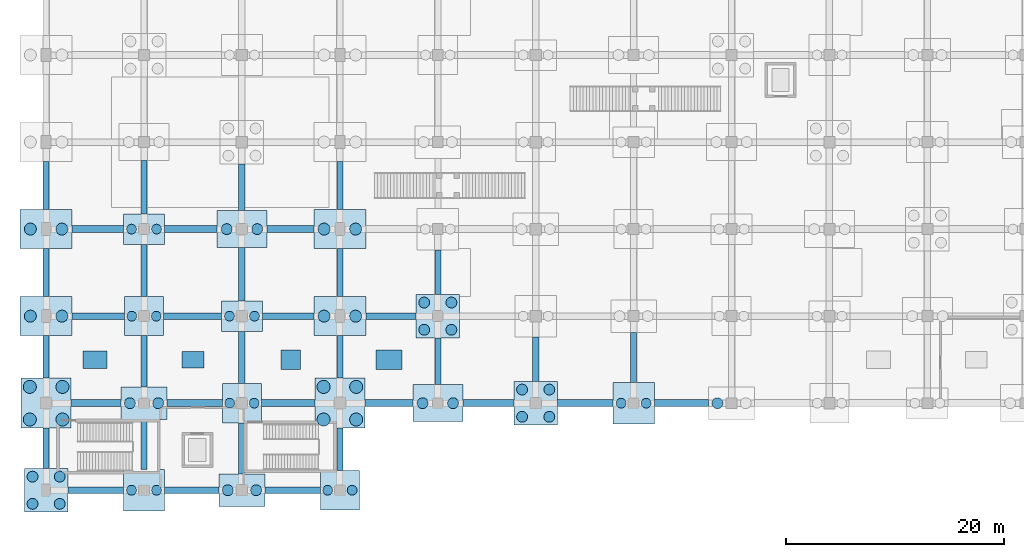
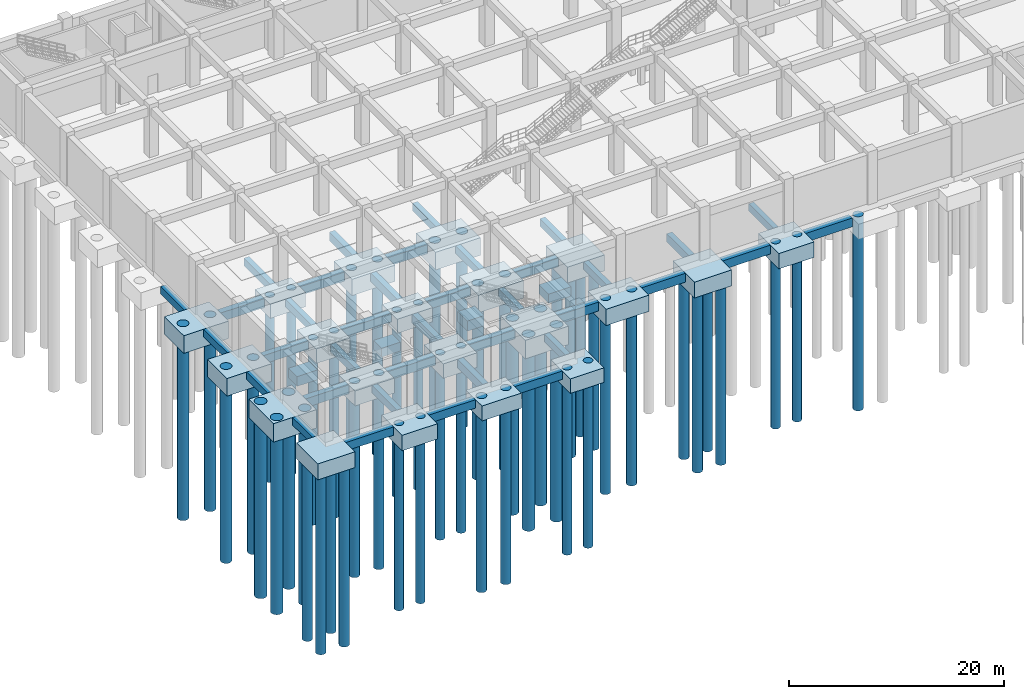
# One storey, part 1 of 18: 61 footings, 51 piles.
"""IFC4 building model written with IfcOpenShell, lengths in metres."""

from ifc_helpers import new_model, si_unit, derived_unit, direction, frame, origin, origin_2d, place, context, subcontext, project, spatial, rectangle, circle, extrude, material, material_profile, profile_set, type_object, element, save


model = new_model("IFC4")

# Units and contexts
model_context = context("Model", 3, precision=1e-05, world=origin(), true_north=direction((0.0, 1.0)))
body_context = subcontext(model_context, "Body", "Model", "MODEL_VIEW")
ifc_project = project(units=[si_unit("LENGTHUNIT", "METRE"), si_unit("AREAUNIT", "SQUARE_METRE"), si_unit("VOLUMEUNIT", "CUBIC_METRE"), si_unit("PLANEANGLEUNIT", "RADIAN"), si_unit("MASSUNIT", "GRAM", prefix="KILO"), derived_unit("THERMALTRANSMITTANCEUNIT", [(si_unit("MASSUNIT", "GRAM", prefix="KILO"), 1), (si_unit("TIMEUNIT", "SECOND"), -3), (si_unit("THERMODYNAMICTEMPERATUREUNIT", "KELVIN"), -1)])], contexts=[model_context])

# Site, building, storey
site_placement = place(None, origin())
site = spatial("IfcSite", under=ifc_project, at=site_placement, CompositionType="ELEMENT")
building_placement = place(site_placement, origin())
building = spatial("IfcBuilding", under=site, at=building_placement, Name="Zhenchuan Archway Interchange", CompositionType="ELEMENT")
storey_placement = place(building_placement, frame((0.0, 0.0, -12.0)))
storey = spatial("IfcBuildingStorey", under=building, at=storey_placement, Name="B2", CompositionType="ELEMENT", Elevation=-12.0)

# Footings
ifc_material_1 = material(Name="Concrete C40", Category="concrete")
ifc_material_profile_1 = material_profile(ifc_material_1, rectangle(XDim=0.64990234375, YDim=1.0, at=origin_2d()), Name="RC 650x1000")
ifc_profile_set_1 = profile_set([ifc_material_profile_1], Name="Concrete C40")
footing_type_1 = type_object("IfcFootingType", Name="FB_GROUND_1", PredefinedType="FOOTING_BEAM", material=ifc_profile_set_1)
footing_1_placement = place(storey_placement, frame((38.300048828125, 32.0, -1.5), z_axis=(1.0, 0.0, 0.0), x_axis=(0.0, 1.0, 0.0)))
element("IfcFooting", 1, at=footing_1_placement, inside=storey, type_object=footing_type_1, Name="Ground tie beam E:5-6 (B2)", PredefinedType="FOOTING_BEAM", context=body_context, shape_type="SweptSolid", body=[
    extrude(rectangle(XDim=0.64990234375, YDim=1.0, at=origin_2d()), origin(), (0.0, 0.0, 1.0), 4.599853515625),
])
footing_2_placement = place(storey_placement, frame((47.10009765625, 32.0, -1.5), z_axis=(1.0, 0.0, 0.0), x_axis=(0.0, 1.0, 0.0)))
element("IfcFooting", 2, at=footing_2_placement, inside=storey, type_object=footing_type_1, Name="Ground tie beam E:6-7 (B2)", PredefinedType="FOOTING_BEAM", context=body_context, shape_type="SweptSolid", body=[
    extrude(rectangle(XDim=0.64990234375, YDim=1.0, at=origin_2d()), origin(), (0.0, 0.0, 1.0), 5.099853515625),
])
footing_3_placement = place(storey_placement, frame((55.800048828125, 32.0, -1.5), z_axis=(1.0, 0.0, 0.0), x_axis=(0.0, 1.0, 0.0)))
element("IfcFooting", 3, at=footing_3_placement, inside=storey, type_object=footing_type_1, Name="Ground tie beam E:7-8 (B2)", PredefinedType="FOOTING_BEAM", context=body_context, shape_type="SweptSolid", body=[
    extrude(rectangle(XDim=0.64990234375, YDim=1.0, at=origin_2d()), origin(), (0.0, 0.0, 1.0), 4.89990234375),
])
footing_4_placement = place(storey_placement, frame((65.300048828125, 32.0, -1.5), z_axis=(1.0, 0.0, 0.0), x_axis=(0.0, 1.0, 0.0)))
element("IfcFooting", 4, at=footing_4_placement, inside=storey, type_object=footing_type_1, Name="Ground tie beam E:8-9 (B2)", PredefinedType="FOOTING_BEAM", context=body_context, shape_type="SweptSolid", body=[
    extrude(rectangle(XDim=0.64990234375, YDim=1.0, at=origin_2d()), origin(), (0.0, 0.0, 1.0), 4.39990234375),
])
footing_5_placement = place(storey_placement, frame((74.300048828125, 32.0, -1.5), z_axis=(1.0, 0.0, 0.0), x_axis=(0.0, 1.0, 0.0)))
element("IfcFooting", 5, at=footing_5_placement, inside=storey, type_object=footing_type_1, Name="Ground tie beam E:9-10 (B2)", PredefinedType="FOOTING_BEAM", context=body_context, shape_type="SweptSolid", body=[
    extrude(rectangle(XDim=0.64990234375, YDim=1.0, at=origin_2d()), origin(), (0.0, 0.0, 1.0), 4.699951171875),
])
footing_6_placement = place(storey_placement, frame((83.0, 32.0, -1.5), z_axis=(1.0, 0.0, 0.0), x_axis=(0.0, 1.0, 0.0)))
element("IfcFooting", 6, at=footing_6_placement, inside=storey, type_object=footing_type_1, Name="Ground tie beam E:10-11 (B2)", PredefinedType="FOOTING_BEAM", context=body_context, shape_type="SweptSolid", body=[
    extrude(rectangle(XDim=0.64990234375, YDim=1.0, at=origin_2d()), origin(), (0.0, 0.0, 1.0), 5.10009765625),
])
footing_7_placement = place(storey_placement, frame((91.89990234375, 32.0, -1.5), z_axis=(1.0, 0.0, 0.0), x_axis=(0.0, 1.0, 0.0)))
element("IfcFooting", 7, at=footing_7_placement, inside=storey, type_object=footing_type_1, Name="Ground tie beam E:11-12 (B2)", PredefinedType="FOOTING_BEAM", context=body_context, shape_type="SweptSolid", body=[
    extrude(rectangle(XDim=0.64990234375, YDim=1.0, at=origin_2d()), origin(), (0.0, 0.0, 1.0), 5.0),
])
footing_8_placement = place(storey_placement, frame((38.39990234375, 48.0, -1.5), z_axis=(1.0, 0.0, 0.0), x_axis=(0.0, 1.0, 0.0)))
element("IfcFooting", 8, at=footing_8_placement, inside=storey, type_object=footing_type_1, Name="Ground tie beam G:5-6 (B2)", PredefinedType="FOOTING_BEAM", context=body_context, shape_type="SweptSolid", body=[
    extrude(rectangle(XDim=0.64990234375, YDim=1.0, at=origin_2d()), origin(), (0.0, 0.0, 1.0), 4.7001953125),
])
footing_9_placement = place(storey_placement, frame((46.89990234375, 48.0, -1.5), z_axis=(1.0, 0.0, 0.0), x_axis=(0.0, 1.0, 0.0)))
element("IfcFooting", 9, at=footing_9_placement, inside=storey, type_object=footing_type_1, Name="Ground tie beam G:6-7 (B2)", PredefinedType="FOOTING_BEAM", context=body_context, shape_type="SweptSolid", body=[
    extrude(rectangle(XDim=0.64990234375, YDim=1.0, at=origin_2d()), origin(), (0.0, 0.0, 1.0), 4.800048828125),
])
footing_10_placement = place(storey_placement, frame((56.300048828125, 48.0, -1.5), z_axis=(1.0, 0.0, 0.0), x_axis=(0.0, 1.0, 0.0)))
element("IfcFooting", 10, at=footing_10_placement, inside=storey, type_object=footing_type_1, Name="Ground tie beam G:7-8 (B2)", PredefinedType="FOOTING_BEAM", context=body_context, shape_type="SweptSolid", body=[
    extrude(rectangle(XDim=0.64990234375, YDim=1.0, at=origin_2d()), origin(), (0.0, 0.0, 1.0), 4.300048828125),
])
ifc_material_profile_2 = material_profile(ifc_material_1, rectangle(XDim=0.60009765625, YDim=0.949951171875, at=origin_2d()), Name="RC 600x950")
ifc_profile_set_2 = profile_set([ifc_material_profile_2], Name="Concrete C40")
footing_type_2 = type_object("IfcFootingType", Name="FB_GROUND_2", PredefinedType="FOOTING_BEAM", material=ifc_profile_set_2)
footing_11_placement = place(storey_placement, frame((38.0, 24.0, -1.47509765625), z_axis=(1.0, 0.0, 0.0), x_axis=(0.0, 1.0, 0.0)))
element("IfcFooting", 11, at=footing_11_placement, inside=storey, type_object=footing_type_2, Name="Ground tie beam D:5-6 (B2)", PredefinedType="FOOTING_BEAM", context=body_context, shape_type="SweptSolid", body=[
    extrude(rectangle(XDim=0.60009765625, YDim=0.949951171875, at=origin_2d()), origin(), (0.0, 0.0, 1.0), 5.10009765625),
])
footing_12_placement = place(storey_placement, frame((46.89990234375, 24.0, -1.47509765625), z_axis=(1.0, 0.0, 0.0), x_axis=(0.0, 1.0, 0.0)))
element("IfcFooting", 12, at=footing_12_placement, inside=storey, type_object=footing_type_2, Name="Ground tie beam D:6-7 (B2)", PredefinedType="FOOTING_BEAM", context=body_context, shape_type="SweptSolid", body=[
    extrude(rectangle(XDim=0.60009765625, YDim=0.949951171875, at=origin_2d()), origin(), (0.0, 0.0, 1.0), 5.0),
])
footing_13_placement = place(storey_placement, frame((56.10009765625, 24.0, -1.47509765625), z_axis=(1.0, 0.0, 0.0), x_axis=(0.0, 1.0, 0.0)))
element("IfcFooting", 13, at=footing_13_placement, inside=storey, type_object=footing_type_2, Name="Ground tie beam D:7-8 (B2)", PredefinedType="FOOTING_BEAM", context=body_context, shape_type="SweptSolid", body=[
    extrude(rectangle(XDim=0.60009765625, YDim=0.949951171875, at=origin_2d()), origin(), (0.0, 0.0, 1.0), 5.099853515625),
])
footing_14_placement = place(storey_placement, frame((38.39990234375, 40.0, -1.47509765625), z_axis=(1.0, 0.0, 0.0), x_axis=(0.0, 1.0, 0.0)))
element("IfcFooting", 14, at=footing_14_placement, inside=storey, type_object=footing_type_2, Name="Ground tie beam F:5-6 (B2)", PredefinedType="FOOTING_BEAM", context=body_context, shape_type="SweptSolid", body=[
    extrude(rectangle(XDim=0.60009765625, YDim=0.949951171875, at=origin_2d()), origin(), (0.0, 0.0, 1.0), 4.800048828125),
])
footing_15_placement = place(storey_placement, frame((46.800048828125, 40.0, -1.47509765625), z_axis=(1.0, 0.0, 0.0), x_axis=(0.0, 1.0, 0.0)))
element("IfcFooting", 15, at=footing_15_placement, inside=storey, type_object=footing_type_2, Name="Ground tie beam F:6-7 (B2)", PredefinedType="FOOTING_BEAM", context=body_context, shape_type="SweptSolid", body=[
    extrude(rectangle(XDim=0.60009765625, YDim=0.949951171875, at=origin_2d()), origin(), (0.0, 0.0, 1.0), 5.300048828125),
])
footing_16_placement = place(storey_placement, frame((55.89990234375, 40.0, -1.47509765625), z_axis=(1.0, 0.0, 0.0), x_axis=(0.0, 1.0, 0.0)))
element("IfcFooting", 16, at=footing_16_placement, inside=storey, type_object=footing_type_2, Name="Ground tie beam F:7-8 (B2)", PredefinedType="FOOTING_BEAM", context=body_context, shape_type="SweptSolid", body=[
    extrude(rectangle(XDim=0.60009765625, YDim=0.949951171875, at=origin_2d()), origin(), (0.0, 0.0, 1.0), 4.7001953125),
])
footing_17_placement = place(storey_placement, frame((65.39990234375, 40.0, -1.47509765625), z_axis=(1.0, 0.0, 0.0), x_axis=(0.0, 1.0, 0.0)))
element("IfcFooting", 17, at=footing_17_placement, inside=storey, type_object=footing_type_2, Name="Ground tie beam F:8-9 (B2)", PredefinedType="FOOTING_BEAM", context=body_context, shape_type="SweptSolid", body=[
    extrude(rectangle(XDim=0.60009765625, YDim=0.949951171875, at=origin_2d()), origin(), (0.0, 0.0, 1.0), 4.60009765625),
])
footing_18_placement = place(storey_placement, frame((54.0, 25.5, -1.47509765625), z_axis=(0.0, 1.0, 0.0), x_axis=(-1.0, 0.0, 0.0)))
element("IfcFooting", 18, at=footing_18_placement, inside=storey, type_object=footing_type_2, Name="Ground tie beam 7:D-E (B2)", PredefinedType="FOOTING_BEAM", context=body_context, shape_type="SweptSolid", body=[
    extrude(rectangle(XDim=0.60009765625, YDim=0.949951171875, at=origin_2d()), origin(), (0.0, 0.0, 1.0), 4.699951171875),
])
footing_19_placement = place(storey_placement, frame((54.0, 33.800048828125, -1.47509765625), z_axis=(0.0, 1.0, 0.0), x_axis=(-1.0, 0.0, 0.0)))
element("IfcFooting", 19, at=footing_19_placement, inside=storey, type_object=footing_type_2, Name="Ground tie beam 7:E-F (B2)", PredefinedType="FOOTING_BEAM", context=body_context, shape_type="SweptSolid", body=[
    extrude(rectangle(XDim=0.60009765625, YDim=0.949951171875, at=origin_2d()), origin(), (0.0, 0.0, 1.0), 4.800048828125),
])
footing_20_placement = place(storey_placement, frame((54.0, 41.39990234375, -1.47509765625), z_axis=(0.0, 1.0, 0.0), x_axis=(-1.0, 0.0, 0.0)))
element("IfcFooting", 20, at=footing_20_placement, inside=storey, type_object=footing_type_2, Name="Ground tie beam 7:F-G (B2)", PredefinedType="FOOTING_BEAM", context=body_context, shape_type="SweptSolid", body=[
    extrude(rectangle(XDim=0.60009765625, YDim=0.949951171875, at=origin_2d()), origin(), (0.0, 0.0, 1.0), 4.900146484375),
])
footing_21_placement = place(storey_placement, frame((54.0, 49.699951171875, -1.47509765625), z_axis=(0.0, 1.0, 0.0), x_axis=(-1.0, 0.0, 0.0)))
element("IfcFooting", 21, at=footing_21_placement, inside=storey, type_object=footing_type_2, Name="Ground tie beam 7:G-H (B2)", PredefinedType="FOOTING_BEAM", context=body_context, shape_type="SweptSolid", body=[
    extrude(rectangle(XDim=0.60009765625, YDim=0.949951171875, at=origin_2d()), origin(), (0.0, 0.0, 1.0), 4.300048828125),
])
footing_22_placement = place(storey_placement, frame((81.0, 34.0, -1.47509765625), z_axis=(0.0, 1.0, 0.0), x_axis=(-1.0, 0.0, 0.0)))
element("IfcFooting", 22, at=footing_22_placement, inside=storey, type_object=footing_type_2, Name="Ground tie beam 10:E-F (B2)", PredefinedType="FOOTING_BEAM", context=body_context, shape_type="SweptSolid", body=[
    extrude(rectangle(XDim=0.60009765625, YDim=0.949951171875, at=origin_2d()), origin(), (0.0, 0.0, 1.0), 4.10009765625),
])
ifc_material_profile_3 = material_profile(ifc_material_1, rectangle(XDim=0.550048828125, YDim=0.85009765625, at=origin_2d()), Name="RC 550x850")
ifc_profile_set_3 = profile_set([ifc_material_profile_3], Name="Concrete C40")
footing_type_3 = type_object("IfcFootingType", Name="FB_GROUND_3", PredefinedType="FOOTING_BEAM", material=ifc_profile_set_3)
footing_23_placement = place(storey_placement, frame((36.0, 26.0, -1.425048828125), z_axis=(0.0, 1.0, 0.0), x_axis=(-1.0, 0.0, 0.0)))
element("IfcFooting", 23, at=footing_23_placement, inside=storey, type_object=footing_type_3, Name="Ground tie beam 5:D-E (B2)", PredefinedType="FOOTING_BEAM", context=body_context, shape_type="SweptSolid", body=[
    extrude(rectangle(XDim=0.550048828125, YDim=0.85009765625, at=origin_2d()), origin(), (0.0, 0.0, 1.0), 3.699951171875),
])
footing_24_placement = place(storey_placement, frame((36.0, 34.300048828125, -1.425048828125), z_axis=(0.0, 1.0, 0.0), x_axis=(-1.0, 0.0, 0.0)))
element("IfcFooting", 24, at=footing_24_placement, inside=storey, type_object=footing_type_3, Name="Ground tie beam 5:E-F (B2)", PredefinedType="FOOTING_BEAM", context=body_context, shape_type="SweptSolid", body=[
    extrude(rectangle(XDim=0.550048828125, YDim=0.85009765625, at=origin_2d()), origin(), (0.0, 0.0, 1.0), 3.89990234375),
])
for number, where, z_axis, x_axis, name in (
    (25, (36.0, 41.800048828125, -1.425048828125), (0.0, 1.0, 0.0), (-1.0, 0.0, 0.0), "Ground tie beam 5:F-G (B2)"),
    (26, (36.0, 49.800048828125, -1.425048828125), (0.0, 1.0, 0.0), (-1.0, 0.0, 0.0), "Ground tie beam 5:G-H (B2)"),
):
    element("IfcFooting", number, at=place(storey_placement, frame(where, z_axis=z_axis, x_axis=x_axis)), inside=storey, type_object=footing_type_3, Name=name, PredefinedType="FOOTING_BEAM", context=body_context, shape_type="SweptSolid", body=[
        extrude(rectangle(XDim=0.550048828125, YDim=0.85009765625, at=origin_2d()), origin(), (0.0, 0.0, 1.0), 4.39990234375),
    ])
footing_25_placement = place(storey_placement, frame((45.0, 25.89990234375, -1.425048828125), z_axis=(0.0, 1.0, 0.0), x_axis=(-1.0, 0.0, 0.0)))
element("IfcFooting", 27, at=footing_25_placement, inside=storey, type_object=footing_type_3, Name="Ground tie beam 6:D-E (B2)", PredefinedType="FOOTING_BEAM", context=body_context, shape_type="SweptSolid", body=[
    extrude(rectangle(XDim=0.550048828125, YDim=0.85009765625, at=origin_2d()), origin(), (0.0, 0.0, 1.0), 4.60009765625),
])
footing_26_placement = place(storey_placement, frame((45.0, 33.5, -1.425048828125), z_axis=(0.0, 1.0, 0.0), x_axis=(-1.0, 0.0, 0.0)))
element("IfcFooting", 28, at=footing_26_placement, inside=storey, type_object=footing_type_3, Name="Ground tie beam 6:E-F (B2)", PredefinedType="FOOTING_BEAM", context=body_context, shape_type="SweptSolid", body=[
    extrude(rectangle(XDim=0.550048828125, YDim=0.85009765625, at=origin_2d()), origin(), (0.0, 0.0, 1.0), 4.699951171875),
])
footing_27_placement = place(storey_placement, frame((45.0, 41.800048828125, -1.425048828125), z_axis=(0.0, 1.0, 0.0), x_axis=(-1.0, 0.0, 0.0)))
element("IfcFooting", 29, at=footing_27_placement, inside=storey, type_object=footing_type_3, Name="Ground tie beam 6:F-G (B2)", PredefinedType="FOOTING_BEAM", context=body_context, shape_type="SweptSolid", body=[
    extrude(rectangle(XDim=0.550048828125, YDim=0.85009765625, at=origin_2d()), origin(), (0.0, 0.0, 1.0), 4.800048828125),
])
footing_28_placement = place(storey_placement, frame((45.0, 49.39990234375, -1.425048828125), z_axis=(0.0, 1.0, 0.0), x_axis=(-1.0, 0.0, 0.0)))
element("IfcFooting", 30, at=footing_28_placement, inside=storey, type_object=footing_type_3, Name="Ground tie beam 6:G-H (B2)", PredefinedType="FOOTING_BEAM", context=body_context, shape_type="SweptSolid", body=[
    extrude(rectangle(XDim=0.550048828125, YDim=0.85009765625, at=origin_2d()), origin(), (0.0, 0.0, 1.0), 4.900146484375),
])
for number, where, z_axis, x_axis, name in (
    (31, (63.0, 25.800048828125, -1.425048828125), (0.0, 1.0, 0.0), (-1.0, 0.0, 0.0), "Ground tie beam 8:D-E (B2)"),
    (32, (63.0, 34.300048828125, -1.425048828125), (0.0, 1.0, 0.0), (-1.0, 0.0, 0.0), "Ground tie beam 8:E-F (B2)"),
):
    element("IfcFooting", number, at=place(storey_placement, frame(where, z_axis=z_axis, x_axis=x_axis)), inside=storey, type_object=footing_type_3, Name=name, PredefinedType="FOOTING_BEAM", context=body_context, shape_type="SweptSolid", body=[
        extrude(rectangle(XDim=0.550048828125, YDim=0.85009765625, at=origin_2d()), origin(), (0.0, 0.0, 1.0), 3.89990234375),
    ])
for number, where, z_axis, x_axis, name in (
    (33, (63.0, 41.800048828125, -1.425048828125), (0.0, 1.0, 0.0), (-1.0, 0.0, 0.0), "Ground tie beam 8:F-G (B2)"),
    (34, (63.0, 49.800048828125, -1.425048828125), (0.0, 1.0, 0.0), (-1.0, 0.0, 0.0), "Ground tie beam 8:G-H (B2)"),
):
    element("IfcFooting", number, at=place(storey_placement, frame(where, z_axis=z_axis, x_axis=x_axis)), inside=storey, type_object=footing_type_3, Name=name, PredefinedType="FOOTING_BEAM", context=body_context, shape_type="SweptSolid", body=[
        extrude(rectangle(XDim=0.550048828125, YDim=0.85009765625, at=origin_2d()), origin(), (0.0, 0.0, 1.0), 4.39990234375),
    ])
footing_29_placement = place(storey_placement, frame((72.0, 33.699951171875, -1.425048828125), z_axis=(0.0, 1.0, 0.0), x_axis=(-1.0, 0.0, 0.0)))
element("IfcFooting", 35, at=footing_29_placement, inside=storey, type_object=footing_type_3, Name="Ground tie beam 9:E-F (B2)", PredefinedType="FOOTING_BEAM", context=body_context, shape_type="SweptSolid", body=[
    extrude(rectangle(XDim=0.550048828125, YDim=0.85009765625, at=origin_2d()), origin(), (0.0, 0.0, 1.0), 4.300048828125),
])
footing_30_placement = place(storey_placement, frame((72.0, 42.0, -1.425048828125), z_axis=(0.0, 1.0, 0.0), x_axis=(-1.0, 0.0, 0.0)))
element("IfcFooting", 36, at=footing_30_placement, inside=storey, type_object=footing_type_3, Name="Ground tie beam 9:F-G (B2)", PredefinedType="FOOTING_BEAM", context=body_context, shape_type="SweptSolid", body=[
    extrude(rectangle(XDim=0.550048828125, YDim=0.85009765625, at=origin_2d()), origin(), (0.0, 0.0, 1.0), 4.10009765625),
])
footing_31_placement = place(storey_placement, frame((90.0, 33.89990234375, -1.425048828125), z_axis=(0.0, 1.0, 0.0), x_axis=(-1.0, 0.0, 0.0)))
element("IfcFooting", 37, at=footing_31_placement, inside=storey, type_object=footing_type_3, Name="Ground tie beam 11:E-F (B2)", PredefinedType="FOOTING_BEAM", context=body_context, shape_type="SweptSolid", body=[
    extrude(rectangle(XDim=0.550048828125, YDim=0.85009765625, at=origin_2d()), origin(), (0.0, 0.0, 1.0), 4.60009765625),
])
footing_type_4 = type_object("IfcFootingType", Name="PAD_EQUIP_1", PredefinedType="PAD_FOOTING", material=ifc_material_1)
footing_32_placement = place(storey_placement, frame((40.5, 36.0, -2.10009765625), z_axis=(0.0, 0.0, 1.0), x_axis=(1.0, 0.0, 0.0)))
element("IfcFooting", 38, at=footing_32_placement, inside=storey, type_object=footing_type_4, Name="Station plant equipment pad footing PF-01", PredefinedType="PAD_FOOTING", context=body_context, shape_type="SweptSolid", body=[
    extrude(rectangle(XDim=2.199951171875, YDim=1.60009765625, at=origin_2d()), origin(), (0.0, 0.0, 1.0), 1.10009765625),
])
footing_type_5 = type_object("IfcFootingType", Name="PAD_EQUIP_2", PredefinedType="PAD_FOOTING", material=ifc_material_1)
footing_33_placement = place(storey_placement, frame((49.5, 36.0, -2.0), z_axis=(0.0, 0.0, 1.0), x_axis=(1.0, 0.0, 0.0)))
element("IfcFooting", 39, at=footing_33_placement, inside=storey, type_object=footing_type_5, Name="Station plant equipment pad footing PF-02", PredefinedType="PAD_FOOTING", context=body_context, shape_type="SweptSolid", body=[
    extrude(rectangle(XDim=2.0, YDim=1.5, at=origin_2d()), origin(), (0.0, 0.0, 1.0), 1.0),
])
footing_type_6 = type_object("IfcFootingType", Name="PAD_EQUIP_3", PredefinedType="PAD_FOOTING", material=ifc_material_1)
footing_34_placement = place(storey_placement, frame((58.5, 36.0, -2.14990234375), z_axis=(0.0, 0.0, 1.0), x_axis=(1.0, 0.0, 0.0)))
element("IfcFooting", 40, at=footing_34_placement, inside=storey, type_object=footing_type_6, Name="Station plant equipment pad footing PF-03", PredefinedType="PAD_FOOTING", context=body_context, shape_type="SweptSolid", body=[
    extrude(rectangle(XDim=1.800048828125, YDim=1.800048828125, at=origin_2d()), origin(), (0.0, 0.0, 1.0), 1.14990234375),
])
footing_type_7 = type_object("IfcFootingType", Name="PAD_EQUIP_6", PredefinedType="PAD_FOOTING", material=ifc_material_1)
footing_35_placement = place(storey_placement, frame((67.5, 36.0, -2.0498046875), z_axis=(0.0, 0.0, 1.0), x_axis=(1.0, 0.0, 0.0)))
element("IfcFooting", 41, at=footing_35_placement, inside=storey, type_object=footing_type_7, Name="Station plant equipment pad footing PF-04", PredefinedType="PAD_FOOTING", context=body_context, shape_type="SweptSolid", body=[
    extrude(rectangle(XDim=2.39990234375, YDim=1.800048828125, at=origin_2d()), origin(), (0.0, 0.0, 1.0), 1.050048828125),
])
footing_type_8 = type_object("IfcFootingType", Name="PC_B_38x38", PredefinedType="PILE_CAP", material=ifc_material_1)
for number, where, z_axis, x_axis, name in (
    (42, (90.0, 32.0, -2.75), (0.0, 0.0, 1.0), (1.0, 0.0, 0.0), "Pile cap PC-07 at 11/E (B2)"),
    (43, (45.0, 24.0, -2.75), (0.0, 0.0, 1.0), (1.0, 0.0, 0.0), "Pile cap PC-07 at 6/D (B2)"),
):
    element("IfcFooting", number, at=place(storey_placement, frame(where, z_axis=z_axis, x_axis=x_axis)), inside=storey, type_object=footing_type_8, Name=name, PredefinedType="PILE_CAP", context=body_context, shape_type="SweptSolid", body=[
        extrude(rectangle(XDim=3.800048828125, YDim=3.800048828125, at=origin_2d()), origin(), (0.0, 0.0, 1.0), 1.75),
    ])
footing_type_9 = type_object("IfcFootingType", Name="PC_B_42x30", PredefinedType="PILE_CAP", material=ifc_material_1)
for number, where, z_axis, x_axis, name in (
    (44, (45.0, 32.0, -2.7001953125), (0.0, 0.0, 1.0), (1.0, 0.0, 0.0), "Pile cap PC-08 at 6/E (B2)"),
    (45, (54.0, 24.0, -2.7001953125), (0.0, 0.0, 1.0), (1.0, 0.0, 0.0), "Pile cap PC-08 at 7/D (B2)"),
):
    element("IfcFooting", number, at=place(storey_placement, frame(where, z_axis=z_axis, x_axis=x_axis)), inside=storey, type_object=footing_type_9, Name=name, PredefinedType="PILE_CAP", context=body_context, shape_type="SweptSolid", body=[
        extrude(rectangle(XDim=4.199951171875, YDim=3.0, at=origin_2d()), origin(), (0.0, 0.0, 1.0), 1.699951171875),
    ])
footing_type_10 = type_object("IfcFootingType", Name="PC_C_46x34", PredefinedType="PILE_CAP", material=ifc_material_1)
for number, where, z_axis, x_axis, name in (
    (46, (54.0, 48.0, -2.85009765625), (0.0, 0.0, 1.0), (1.0, 0.0, 0.0), "Pile cap PC-05 at 7/G (B2)"),
    (47, (72.0, 32.0, -2.85009765625), (0.0, 0.0, 1.0), (1.0, 0.0, 0.0), "Pile cap PC-05 at 9/E (B2)"),
):
    element("IfcFooting", number, at=place(storey_placement, frame(where, z_axis=z_axis, x_axis=x_axis)), inside=storey, type_object=footing_type_10, Name=name, PredefinedType="PILE_CAP", context=body_context, shape_type="SweptSolid", body=[
        extrude(rectangle(XDim=4.60009765625, YDim=3.39990234375, at=origin_2d()), origin(), (0.0, 0.0, 1.0), 1.85009765625),
    ])
footing_type_11 = type_object("IfcFootingType", Name="PC_M_36x36", PredefinedType="PILE_CAP", material=ifc_material_1)
for number, where, z_axis, x_axis, name in (
    (48, (45.0, 40.0, -2.64990234375), (0.0, 0.0, 1.0), (1.0, 0.0, 0.0), "Pile cap PC-09 at 6/F (B2)"),
    (49, (54.0, 32.0, -2.64990234375), (0.0, 0.0, 1.0), (1.0, 0.0, 0.0), "Pile cap PC-09 at 7/E (B2)"),
    (50, (63.0, 24.0, -2.64990234375), (0.0, 0.0, 1.0), (1.0, 0.0, 0.0), "Pile cap PC-09 at 8/D (B2)"),
):
    element("IfcFooting", number, at=place(storey_placement, frame(where, z_axis=z_axis, x_axis=x_axis)), inside=storey, type_object=footing_type_11, Name=name, PredefinedType="PILE_CAP", context=body_context, shape_type="SweptSolid", body=[
        extrude(rectangle(XDim=3.60009765625, YDim=3.60009765625, at=origin_2d()), origin(), (0.0, 0.0, 1.0), 1.64990234375),
    ])
footing_type_12 = type_object("IfcFootingType", Name="PC_P_38x28", PredefinedType="PILE_CAP", material=ifc_material_1)
for number, where, z_axis, x_axis, name in (
    (51, (45.0, 48.0, -2.60009765625), (0.0, 0.0, 1.0), (1.0, 0.0, 0.0), "Pile cap PC-10 at 6/G (B2)"),
    (52, (54.0, 40.0, -2.60009765625), (0.0, 0.0, 1.0), (1.0, 0.0, 0.0), "Pile cap PC-10 at 7/F (B2)"),
):
    element("IfcFooting", number, at=place(storey_placement, frame(where, z_axis=z_axis, x_axis=x_axis)), inside=storey, type_object=footing_type_12, Name=name, PredefinedType="PILE_CAP", context=body_context, shape_type="SweptSolid", body=[
        extrude(rectangle(XDim=3.800048828125, YDim=2.800048828125, at=origin_2d()), origin(), (0.0, 0.0, 1.0), 1.60009765625),
    ])
footing_type_13 = type_object("IfcFootingType", Name="PC_R_40x40", PredefinedType="PILE_CAP", material=ifc_material_1)
for number, where, z_axis, x_axis, name in (
    (53, (81.0, 32.0, -2.7998046875), (0.0, 0.0, 1.0), (1.0, 0.0, 0.0), "Pile cap PC-06 at 10/E (B2)"),
    (54, (36.0, 24.0, -2.7998046875), (0.0, 0.0, 1.0), (1.0, 0.0, 0.0), "Pile cap PC-06 at 5/D (B2)"),
    (55, (72.0, 40.0, -2.7998046875), (0.0, 0.0, 1.0), (1.0, 0.0, 0.0), "Pile cap PC-06 at 9/F (B2)"),
):
    element("IfcFooting", number, at=place(storey_placement, frame(where, z_axis=z_axis, x_axis=x_axis)), inside=storey, type_object=footing_type_13, Name=name, PredefinedType="PILE_CAP", context=body_context, shape_type="SweptSolid", body=[
        extrude(rectangle(XDim=4.0, YDim=4.0, at=origin_2d()), origin(), (0.0, 0.0, 1.0), 1.800048828125),
    ])
footing_type_14 = type_object("IfcFootingType", Name="PC_T_46x46", PredefinedType="PILE_CAP", material=ifc_material_1)
for number, where, z_axis, x_axis, name in (
    (56, (36.0, 32.0, -3.10009765625), (0.0, 0.0, 1.0), (1.0, 0.0, 0.0), "Pile cap PC-01 at 5/E (B2)"),
    (57, (63.0, 32.0, -3.10009765625), (0.0, 0.0, 1.0), (1.0, 0.0, 0.0), "Pile cap PC-01 at 8/E (B2)"),
):
    element("IfcFooting", number, at=place(storey_placement, frame(where, z_axis=z_axis, x_axis=x_axis)), inside=storey, type_object=footing_type_14, Name=name, PredefinedType="PILE_CAP", context=body_context, shape_type="SweptSolid", body=[
        extrude(rectangle(XDim=4.60009765625, YDim=4.60009765625, at=origin_2d()), origin(), (0.0, 0.0, 1.0), 2.10009765625),
    ])
footing_type_15 = type_object("IfcFootingType", Name="PC_T_48x36", PredefinedType="PILE_CAP", material=ifc_material_1)
for number, where, z_axis, x_axis, name in (
    (58, (36.0, 40.0, -3.0), (0.0, 0.0, 1.0), (1.0, 0.0, 0.0), "Pile cap PC-03 at 5/F (B2)"),
    (59, (36.0, 48.0, -3.0), (0.0, 0.0, 1.0), (1.0, 0.0, 0.0), "Pile cap PC-03 at 5/G (B2)"),
    (60, (63.0, 40.0, -3.0), (0.0, 0.0, 1.0), (1.0, 0.0, 0.0), "Pile cap PC-03 at 8/F (B2)"),
    (61, (63.0, 48.0, -3.0), (0.0, 0.0, 1.0), (1.0, 0.0, 0.0), "Pile cap PC-03 at 8/G (B2)"),
):
    element("IfcFooting", number, at=place(storey_placement, frame(where, z_axis=z_axis, x_axis=x_axis)), inside=storey, type_object=footing_type_15, Name=name, PredefinedType="PILE_CAP", context=body_context, shape_type="SweptSolid", body=[
        extrude(rectangle(XDim=4.800048828125, YDim=3.60009765625, at=origin_2d()), origin(), (0.0, 0.0, 1.0), 2.0),
    ])

# Piles
ifc_material_2 = material(Name="Concrete C35", Category="concrete")
ifc_material_profile_4 = material_profile(ifc_material_2, circle(Radius=0.5, at=origin_2d()), Name="BORED PILE 1000")
ifc_profile_set_4 = profile_set([ifc_material_profile_4], Name="Concrete C35")
pile_type_1 = type_object("IfcPileType", Name="PILE_D1000", PredefinedType="BORED", material=ifc_profile_set_4)
for number, where, z_axis, x_axis, name in (
    (62, (79.75, 30.75, -1.0), (0.0, 0.0, -1.0), (1.0, 0.0, 0.0), "Bored pile at 10/E #1 (B2)"),
    (63, (82.25, 30.75, -1.0), (0.0, 0.0, -1.0), (1.0, 0.0, 0.0), "Bored pile at 10/E #2 (B2)"),
    (64, (79.75, 33.25, -1.0), (0.0, 0.0, -1.0), (1.0, 0.0, 0.0), "Bored pile at 10/E #3 (B2)"),
    (65, (82.25, 33.25, -1.0), (0.0, 0.0, -1.0), (1.0, 0.0, 0.0), "Bored pile at 10/E #4 (B2)"),
    (66, (97.699951171875, 32.0, -1.0), (0.0, 0.0, -1.0), (1.0, 0.0, 0.0), "Bored pile at 12/E #1 (B2)"),
    (67, (34.75, 22.75, -1.0), (0.0, 0.0, -1.0), (1.0, 0.0, 0.0), "Bored pile at 5/D #1 (B2)"),
    (68, (37.25, 22.75, -1.0), (0.0, 0.0, -1.0), (1.0, 0.0, 0.0), "Bored pile at 5/D #2 (B2)"),
    (69, (34.75, 25.25, -1.0), (0.0, 0.0, -1.0), (1.0, 0.0, 0.0), "Bored pile at 5/D #3 (B2)"),
    (70, (37.25, 25.25, -1.0), (0.0, 0.0, -1.0), (1.0, 0.0, 0.0), "Bored pile at 5/D #4 (B2)"),
    (71, (43.699951171875, 32.0, -1.0), (0.0, 0.0, -1.0), (1.0, 0.0, 0.0), "Bored pile at 6/E #1 (B2)"),
    (72, (46.300048828125, 32.0, -1.0), (0.0, 0.0, -1.0), (1.0, 0.0, 0.0), "Bored pile at 6/E #2 (B2)"),
    (73, (52.699951171875, 24.0, -1.0), (0.0, 0.0, -1.0), (1.0, 0.0, 0.0), "Bored pile at 7/D #1 (B2)"),
    (74, (55.300048828125, 24.0, -1.0), (0.0, 0.0, -1.0), (1.0, 0.0, 0.0), "Bored pile at 7/D #2 (B2)"),
    (75, (52.60009765625, 48.0, -1.0), (0.0, 0.0, -1.0), (1.0, 0.0, 0.0), "Bored pile at 7/G #1 (B2)"),
    (76, (55.39990234375, 48.0, -1.0), (0.0, 0.0, -1.0), (1.0, 0.0, 0.0), "Bored pile at 7/G #2 (B2)"),
    (77, (70.60009765625, 32.0, -1.0), (0.0, 0.0, -1.0), (1.0, 0.0, 0.0), "Bored pile at 9/E #1 (B2)"),
    (78, (73.39990234375, 32.0, -1.0), (0.0, 0.0, -1.0), (1.0, 0.0, 0.0), "Bored pile at 9/E #2 (B2)"),
    (79, (70.75, 38.75, -1.0), (0.0, 0.0, -1.0), (1.0, 0.0, 0.0), "Bored pile at 9/F #1 (B2)"),
    (80, (73.25, 38.75, -1.0), (0.0, 0.0, -1.0), (1.0, 0.0, 0.0), "Bored pile at 9/F #2 (B2)"),
    (81, (70.75, 41.25, -1.0), (0.0, 0.0, -1.0), (1.0, 0.0, 0.0), "Bored pile at 9/F #3 (B2)"),
    (82, (73.25, 41.25, -1.0), (0.0, 0.0, -1.0), (1.0, 0.0, 0.0), "Bored pile at 9/F #4 (B2)"),
):
    element("IfcPile", number, at=place(storey_placement, frame(where, z_axis=z_axis, x_axis=x_axis)), inside=storey, type_object=pile_type_1, Name=name, PredefinedType="BORED", context=body_context, shape_type="SweptSolid", body=[
        extrude(circle(Radius=0.5, at=origin_2d()), origin(), (0.0, 0.0, 1.0), 22.0),
    ])
ifc_material_profile_5 = material_profile(ifc_material_2, circle(Radius=0.550048828125, at=origin_2d()), Name="BORED PILE 1100")
ifc_profile_set_5 = profile_set([ifc_material_profile_5], Name="Concrete C35")
pile_type_2 = type_object("IfcPileType", Name="PILE_D1100", PredefinedType="BORED", material=ifc_profile_set_5)
for number, where, z_axis, x_axis, name in (
    (83, (34.550048828125, 40.0, -1.0), (0.0, 0.0, -1.0), (1.0, 0.0, 0.0), "Bored pile at 5/F #1 (B2)"),
    (84, (37.449951171875, 40.0, -1.0), (0.0, 0.0, -1.0), (1.0, 0.0, 0.0), "Bored pile at 5/F #2 (B2)"),
    (85, (34.550048828125, 48.0, -1.0), (0.0, 0.0, -1.0), (1.0, 0.0, 0.0), "Bored pile at 5/G #1 (B2)"),
    (86, (37.449951171875, 48.0, -1.0), (0.0, 0.0, -1.0), (1.0, 0.0, 0.0), "Bored pile at 5/G #2 (B2)"),
    (87, (61.550048828125, 40.0, -1.0), (0.0, 0.0, -1.0), (1.0, 0.0, 0.0), "Bored pile at 8/F #1 (B2)"),
    (88, (64.449951171875, 40.0, -1.0), (0.0, 0.0, -1.0), (1.0, 0.0, 0.0), "Bored pile at 8/F #2 (B2)"),
    (89, (61.550048828125, 48.0, -1.0), (0.0, 0.0, -1.0), (1.0, 0.0, 0.0), "Bored pile at 8/G #1 (B2)"),
    (90, (64.449951171875, 48.0, -1.0), (0.0, 0.0, -1.0), (1.0, 0.0, 0.0), "Bored pile at 8/G #2 (B2)"),
):
    element("IfcPile", number, at=place(storey_placement, frame(where, z_axis=z_axis, x_axis=x_axis)), inside=storey, type_object=pile_type_2, Name=name, PredefinedType="BORED", context=body_context, shape_type="SweptSolid", body=[
        extrude(circle(Radius=0.550048828125, at=origin_2d()), origin(), (0.0, 0.0, 1.0), 22.0),
    ])
ifc_material_profile_6 = material_profile(ifc_material_2, circle(Radius=0.60009765625, at=origin_2d()), Name="BORED PILE 1200")
ifc_profile_set_6 = profile_set([ifc_material_profile_6], Name="Concrete C35")
pile_type_3 = type_object("IfcPileType", Name="PILE_D1200", PredefinedType="BORED", material=ifc_profile_set_6)
for number, where, z_axis, x_axis, name in (
    (91, (34.5, 30.5, -1.0), (0.0, 0.0, -1.0), (1.0, 0.0, 0.0), "Bored pile at 5/E #1 (B2)"),
    (92, (37.5, 30.5, -1.0), (0.0, 0.0, -1.0), (1.0, 0.0, 0.0), "Bored pile at 5/E #2 (B2)"),
    (93, (34.5, 33.5, -1.0), (0.0, 0.0, -1.0), (1.0, 0.0, 0.0), "Bored pile at 5/E #3 (B2)"),
    (94, (37.5, 33.5, -1.0), (0.0, 0.0, -1.0), (1.0, 0.0, 0.0), "Bored pile at 5/E #4 (B2)"),
    (95, (61.5, 30.5, -1.0), (0.0, 0.0, -1.0), (1.0, 0.0, 0.0), "Bored pile at 8/E #1 (B2)"),
    (96, (64.5, 30.5, -1.0), (0.0, 0.0, -1.0), (1.0, 0.0, 0.0), "Bored pile at 8/E #2 (B2)"),
    (97, (61.5, 33.5, -1.0), (0.0, 0.0, -1.0), (1.0, 0.0, 0.0), "Bored pile at 8/E #3 (B2)"),
    (98, (64.5, 33.5, -1.0), (0.0, 0.0, -1.0), (1.0, 0.0, 0.0), "Bored pile at 8/E #4 (B2)"),
):
    element("IfcPile", number, at=place(storey_placement, frame(where, z_axis=z_axis, x_axis=x_axis)), inside=storey, type_object=pile_type_3, Name=name, PredefinedType="BORED", context=body_context, shape_type="SweptSolid", body=[
        extrude(circle(Radius=0.60009765625, at=origin_2d()), origin(), (0.0, 0.0, 1.0), 22.0),
    ])
ifc_material_profile_7 = material_profile(ifc_material_2, circle(Radius=0.449951171875, at=origin_2d()), Name="BORED PILE 900")
ifc_profile_set_7 = profile_set([ifc_material_profile_7], Name="Concrete C35")
pile_type_4 = type_object("IfcPileType", Name="PILE_D900", PredefinedType="BORED", material=ifc_profile_set_7)
for number, where, z_axis, x_axis, name in (
    (99, (88.85009765625, 32.0, -1.0), (0.0, 0.0, -1.0), (1.0, 0.0, 0.0), "Bored pile at 11/E #1 (B2)"),
    (100, (91.14990234375, 32.0, -1.0), (0.0, 0.0, -1.0), (1.0, 0.0, 0.0), "Bored pile at 11/E #2 (B2)"),
    (101, (43.85009765625, 24.0, -1.0), (0.0, 0.0, -1.0), (1.0, 0.0, 0.0), "Bored pile at 6/D #1 (B2)"),
    (102, (46.14990234375, 24.0, -1.0), (0.0, 0.0, -1.0), (1.0, 0.0, 0.0), "Bored pile at 6/D #2 (B2)"),
    (103, (43.875, 40.0, -1.0), (0.0, 0.0, -1.0), (1.0, 0.0, 0.0), "Bored pile at 6/F #1 (B2)"),
    (104, (46.125, 40.0, -1.0), (0.0, 0.0, -1.0), (1.0, 0.0, 0.0), "Bored pile at 6/F #2 (B2)"),
    (105, (43.85009765625, 48.0, -1.0), (0.0, 0.0, -1.0), (1.0, 0.0, 0.0), "Bored pile at 6/G #1 (B2)"),
    (106, (46.14990234375, 48.0, -1.0), (0.0, 0.0, -1.0), (1.0, 0.0, 0.0), "Bored pile at 6/G #2 (B2)"),
    (107, (52.875, 32.0, -1.0), (0.0, 0.0, -1.0), (1.0, 0.0, 0.0), "Bored pile at 7/E #1 (B2)"),
    (108, (55.125, 32.0, -1.0), (0.0, 0.0, -1.0), (1.0, 0.0, 0.0), "Bored pile at 7/E #2 (B2)"),
    (109, (52.85009765625, 40.0, -1.0), (0.0, 0.0, -1.0), (1.0, 0.0, 0.0), "Bored pile at 7/F #1 (B2)"),
    (110, (55.14990234375, 40.0, -1.0), (0.0, 0.0, -1.0), (1.0, 0.0, 0.0), "Bored pile at 7/F #2 (B2)"),
    (111, (61.875, 24.0, -1.0), (0.0, 0.0, -1.0), (1.0, 0.0, 0.0), "Bored pile at 8/D #1 (B2)"),
    (112, (64.125, 24.0, -1.0), (0.0, 0.0, -1.0), (1.0, 0.0, 0.0), "Bored pile at 8/D #2 (B2)"),
):
    element("IfcPile", number, at=place(storey_placement, frame(where, z_axis=z_axis, x_axis=x_axis)), inside=storey, type_object=pile_type_4, Name=name, PredefinedType="BORED", context=body_context, shape_type="SweptSolid", body=[
        extrude(circle(Radius=0.449951171875, at=origin_2d()), origin(), (0.0, 0.0, 1.0), 21.0),
    ])

save(model, "model.ifc")
